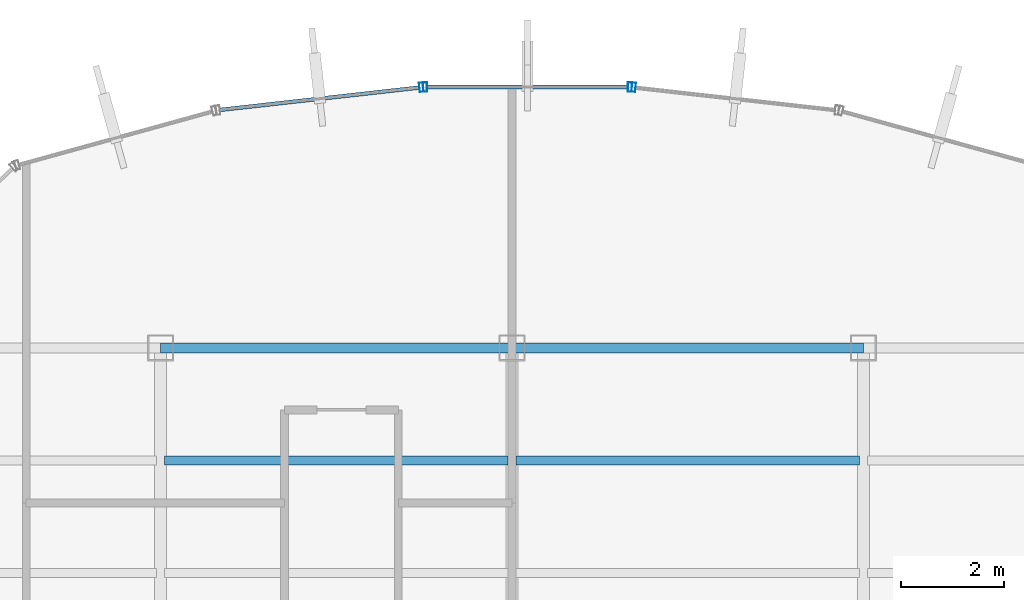
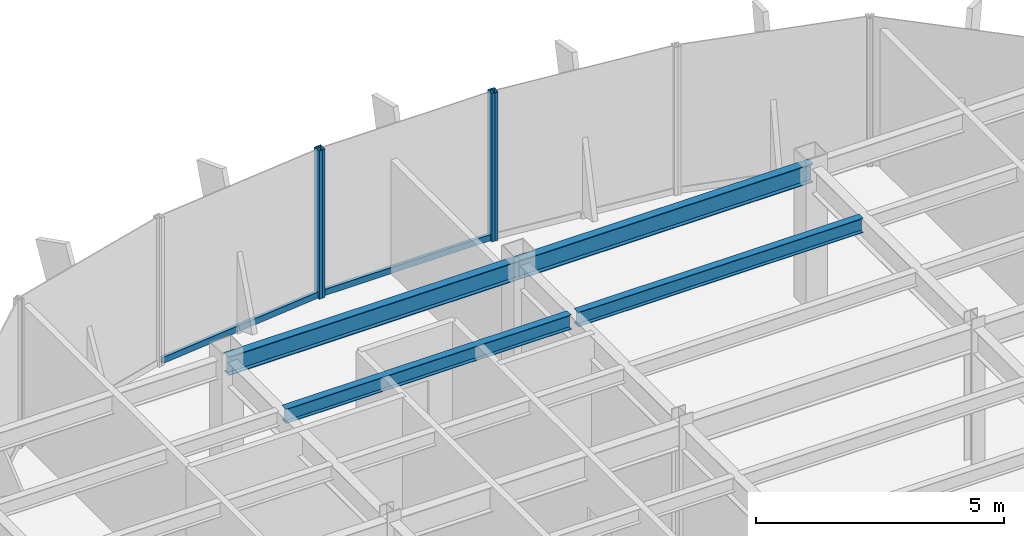
# One storey, part 13 of 22: 6 members, 4 beams, 3 elements without a shape of their own.
"""IFC4 building model written with IfcOpenShell, lengths in metres."""

from ifc_helpers import new_model, si_unit, derived_unit, direction, frame, origin, origin_2d, place, context, subcontext, project, spatial, hollow_rectangle, i_section, extrude, source, transform, mapped, material, material_profile, profile_set, type_object, element, aggregate, save


model = new_model("IFC4")

# Units and contexts
model_context = context("Model", 3, precision=1e-05, world=origin(), true_north=direction((0.0, 1.0)))
body_context = subcontext(model_context, "Body", "Model", "MODEL_VIEW")
ifc_project = project(units=[si_unit("LENGTHUNIT", "METRE"), si_unit("AREAUNIT", "SQUARE_METRE"), si_unit("VOLUMEUNIT", "CUBIC_METRE"), si_unit("PLANEANGLEUNIT", "RADIAN"), si_unit("MASSUNIT", "GRAM", prefix="KILO"), derived_unit("THERMALTRANSMITTANCEUNIT", [(si_unit("POWERUNIT", "WATT"), 1), (si_unit("LENGTHUNIT", "METRE"), -2), (si_unit("THERMODYNAMICTEMPERATUREUNIT", "KELVIN"), -1)])], contexts=[model_context])

# Site, building, storey
site_placement = place(None, origin())
site = spatial("IfcSite", under=ifc_project, at=site_placement, CompositionType="ELEMENT")
building_placement = place(site_placement, origin())
building = spatial("IfcBuilding", under=site, at=building_placement, Name="Skarnbrae Concourse Arena and Tower", CompositionType="ELEMENT")
storey_placement = place(building_placement, frame((0.0, 0.0, 228.75)))
storey = spatial("IfcBuildingStorey", under=building, at=storey_placement, Name="L59", CompositionType="ELEMENT", Elevation=228.75)

# Beams
ifc_material_1 = material(Name="Steel CSA G40.21 350W", Category="steel")
ifc_material_profile_1 = material_profile(ifc_material_1, i_section(OverallWidth=0.19091796875, OverallDepth=0.4599609375, WebThickness=0.010009765625, FlangeThickness=0.01611328125, at=origin_2d()), Name="W460X82")
ifc_profile_set_1 = profile_set([ifc_material_profile_1], Name="Steel CSA G40.21 350W")
beam_type_1 = type_object("IfcBeamType", Name="BM-SPAN-W460X82", PredefinedType="SPANDREL", material=ifc_profile_set_1)
shared_shape_1 = source(origin(), body_context, "Body", "SweptSolid", [
    extrude(i_section(OverallWidth=0.19091796875, OverallDepth=0.4599609375, WebThickness=0.010009765625, FlangeThickness=0.01611328125, at=origin_2d()), origin(), (0.0, 0.0, 1.0), 6.800048828125),
])
for number, where, z_axis, x_axis, name in (
    (1, (14.39990234375, 34.39990234375, 3.169921875), (1.0, 0.0, 0.0), (0.0, 1.0, 0.0), "L59 Perimeter spandrel Y34.4-2"),
    (2, (21.199951171875, 34.39990234375, 3.169921875), (1.0, 0.0, 0.0), (0.0, 1.0, 0.0), "L59 Perimeter spandrel Y34.4-3"),
):
    element("IfcBeam", number, at=place(storey_placement, frame(where, z_axis=z_axis, x_axis=x_axis)), inside=storey, type_object=beam_type_1, Name=name, PredefinedType="SPANDREL", context=body_context, shape_type="MappedRepresentation", body=[
        mapped(shared_shape_1, transform((0.0, 0.0, 0.0))),
    ])
ifc_material_profile_2 = material_profile(ifc_material_1, i_section(OverallWidth=0.1708984375, OverallDepth=0.35498046875, WebThickness=0.007080078125, FlangeThickness=0.01171875, at=origin_2d()), Name="W360X51")
ifc_profile_set_2 = profile_set([ifc_material_profile_2], Name="Steel CSA G40.21 350W")
beam_type_2 = type_object("IfcBeamType", Name="BM-JOIST-W360X51", PredefinedType="JOIST", material=ifc_profile_set_2)
shared_shape_2 = source(origin(), body_context, "Body", "SweptSolid", [
    extrude(i_section(OverallWidth=0.1708984375, OverallDepth=0.35498046875, WebThickness=0.007080078125, FlangeThickness=0.01171875, at=origin_2d()), origin(), (0.0, 0.0, 1.0), 6.64013671875),
])
beam_1_placement = place(storey_placement, frame((14.47998046875, 32.221923828125, 3.222412109375), z_axis=(1.0, 0.0, 0.0), x_axis=(0.0, 1.0, 0.0)))
element("IfcBeam", 3, at=beam_1_placement, inside=storey, type_object=beam_type_2, Name="L59 Secondary floor joist 3.2.2", PredefinedType="JOIST", context=body_context, shape_type="MappedRepresentation", body=[
    mapped(shared_shape_2, transform((0.0, 0.0, 0.0))),
])
shared_shape_3 = source(origin(), body_context, "Body", "SweptSolid", [
    extrude(i_section(OverallWidth=0.1708984375, OverallDepth=0.35498046875, WebThickness=0.007080078125, FlangeThickness=0.01171875, at=origin_2d()), origin(), (0.0, 0.0, 1.0), 6.639892578125),
])
beam_2_placement = place(storey_placement, frame((21.280029296875, 32.221923828125, 3.222412109375), z_axis=(1.0, 0.0, 0.0), x_axis=(0.0, 1.0, 0.0)))
element("IfcBeam", 4, at=beam_2_placement, inside=storey, type_object=beam_type_2, Name="L59 Secondary floor joist 3.2.3", PredefinedType="JOIST", context=body_context, shape_type="MappedRepresentation", body=[
    mapped(shared_shape_3, transform((0.0, 0.0, 0.0))),
])

# Curtain wall, member
ifc_material_2 = material(Name="Bronze anodised aluminium 6063-T6", Category="aluminium")
curtain_wall_type = type_object("IfcCurtainWallType", Name="CW-SYS-05-HIGHZONE", PredefinedType="USERDEFINED", material=ifc_material_2)
curtain_wall_1_placement = place(storey_placement, origin())
curtain_wall_1 = element("IfcCurtainWall", 5, at=curtain_wall_1_placement, inside=storey, type_object=curtain_wall_type, Name="L59 Unitised curtain wall CW-L59-E10", ObjectType="UNITISED CURTAIN WALL", PredefinedType="USERDEFINED")
ifc_material_profile_3 = material_profile(ifc_material_2, hollow_rectangle(XDim=0.074951171875, YDim=0.179931640625, WallThickness=0.00390625, at=origin_2d()), Name="ALU-MULL-75X180")
ifc_profile_set_3 = profile_set([ifc_material_profile_3], Name="Bronze anodised aluminium 6063-T6")
member_type_1 = type_object("IfcMemberType", Name="CWM-CW-05", PredefinedType="MULLION", material=ifc_profile_set_3)
shared_shape_4 = source(origin(), body_context, "Body", "SweptSolid", [
    extrude(hollow_rectangle(XDim=0.074951171875, YDim=0.179931640625, WallThickness=0.00390625, at=origin_2d()), origin(), (0.0, 0.0, 1.0), 3.64990234375),
])
member_1_placement = place(storey_placement, frame((23.554443359375, 39.4423828125, 0.0), z_axis=(0.0, 0.0, 1.0), x_axis=(-0.993768891873, 0.111460259941, 0.0)))
member_1 = element("IfcMember", 6, at=member_1_placement, type_object=member_type_1, Name="CW-L59-E10 Mullion 2", PredefinedType="MULLION", context=body_context, shape_type="MappedRepresentation", body=[
    mapped(shared_shape_4, transform((0.0, 0.0, 0.0))),
])
aggregate(curtain_wall_1, [member_1])

# Curtain wall, members
curtain_wall_2_placement = place(storey_placement, origin())
curtain_wall_2 = element("IfcCurtainWall", 7, at=curtain_wall_2_placement, inside=storey, type_object=curtain_wall_type, Name="L59 Unitised curtain wall CW-L59-E11", ObjectType="UNITISED CURTAIN WALL", PredefinedType="USERDEFINED")
member_2_placement = place(storey_placement, frame((23.479736328125, 39.44677734375, 0.0), z_axis=(0.0, 0.0, 1.0), x_axis=(-1.0, 0.0, 0.0)))
member_2 = element("IfcMember", 8, at=member_2_placement, type_object=member_type_1, Name="CW-L59-E11 Mullion 1", PredefinedType="MULLION", context=body_context, shape_type="MappedRepresentation", body=[
    mapped(shared_shape_4, transform((0.0, 0.0, 0.0))),
])
member_3_placement = place(storey_placement, frame((19.520263671875, 39.44677734375, 0.0), z_axis=(0.0, 0.0, 1.0), x_axis=(-1.0, 0.0, 0.0)))
member_3 = element("IfcMember", 9, at=member_3_placement, type_object=member_type_1, Name="CW-L59-E11 Mullion 2", PredefinedType="MULLION", context=body_context, shape_type="MappedRepresentation", body=[
    mapped(shared_shape_4, transform((0.0, 0.0, 0.0))),
])

curtain_wall_3_placement = place(storey_placement, origin())
curtain_wall_3 = element("IfcCurtainWall", 10, at=curtain_wall_3_placement, inside=storey, type_object=curtain_wall_type, Name="L59 Unitised curtain wall CW-L59-E12", ObjectType="UNITISED CURTAIN WALL", PredefinedType="USERDEFINED")
member_4_placement = place(storey_placement, frame((19.445556640625, 39.4423828125, 0.0), z_axis=(0.0, 0.0, 1.0), x_axis=(-0.993768891873, -0.111460259941, 0.0)))
member_4 = element("IfcMember", 11, at=member_4_placement, type_object=member_type_1, Name="CW-L59-E12 Mullion 1", PredefinedType="MULLION", context=body_context, shape_type="MappedRepresentation", body=[
    mapped(shared_shape_4, transform((0.0, 0.0, 0.0))),
])
ifc_material_profile_4 = material_profile(ifc_material_2, hollow_rectangle(XDim=0.074951171875, YDim=0.14990234375, WallThickness=0.00390625, at=origin_2d()), Name="ALU-TRAN-75X150")
ifc_profile_set_4 = profile_set([ifc_material_profile_4], Name="Bronze anodised aluminium 6063-T6")
member_type_2 = type_object("IfcMemberType", Name="CWT-CW-05", PredefinedType="USERDEFINED", material=ifc_profile_set_4)
shared_shape_5 = source(origin(), body_context, "Body", "SweptSolid", [
    extrude(hollow_rectangle(XDim=0.074951171875, YDim=0.14990234375, WallThickness=0.00390625, at=origin_2d()), origin(), (0.0, 0.0, 1.0), 3.8837890625),
])
member_5_placement = place(storey_placement, frame((19.408203125, 39.438232421875, 0.074951171875), z_axis=(-0.993776714154, -0.111390495128, 0.0), x_axis=(0.111390495128, -0.993776714154, 0.0)))
member_5 = element("IfcMember", 12, at=member_5_placement, type_object=member_type_2, Name="CW-L59-E12 Transom 1", ObjectType="TRANSOM", PredefinedType="USERDEFINED", context=body_context, shape_type="MappedRepresentation", body=[
    mapped(shared_shape_5, transform((0.0, 0.0, 0.0))),
])
aggregate(curtain_wall_3, [member_4, member_5])

# Member
shared_shape_6 = source(origin(), body_context, "Body", "SweptSolid", [
    extrude(hollow_rectangle(XDim=0.074951171875, YDim=0.14990234375, WallThickness=0.00390625, at=origin_2d()), origin(), (0.0, 0.0, 1.0), 3.88427734375),
])
member_6_placement = place(storey_placement, frame((23.442138671875, 39.44677734375, 0.074951171875), z_axis=(-1.0, 0.0, 0.0), x_axis=(0.0, -1.0, 0.0)))
member_6 = element("IfcMember", 13, at=member_6_placement, type_object=member_type_2, Name="CW-L59-E11 Transom 1", ObjectType="TRANSOM", PredefinedType="USERDEFINED", context=body_context, shape_type="MappedRepresentation", body=[
    mapped(shared_shape_6, transform((0.0, 0.0, 0.0))),
])

aggregate(curtain_wall_2, [member_2, member_3, member_6])

save(model, "model.ifc")
